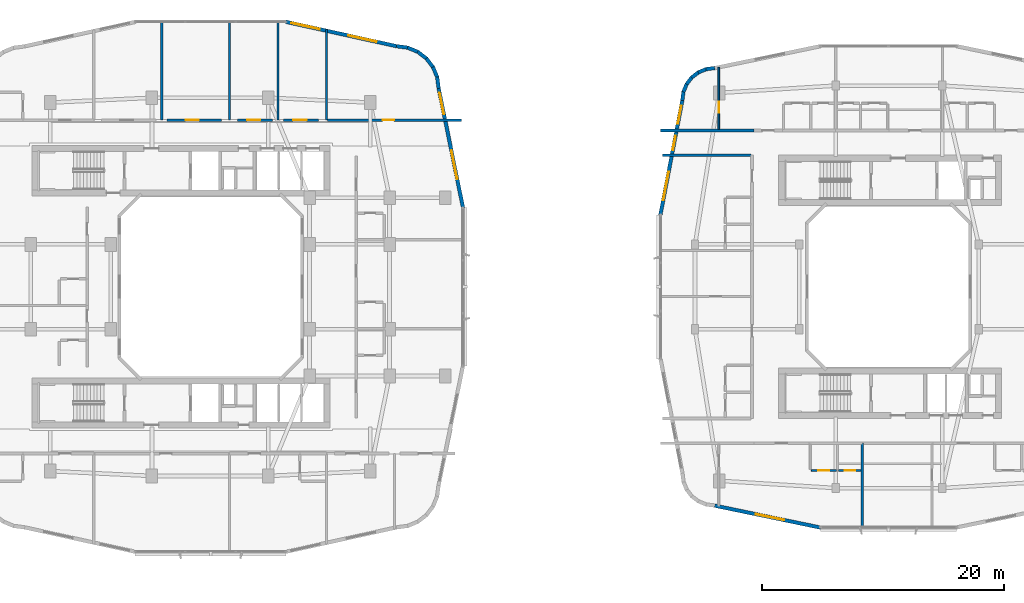
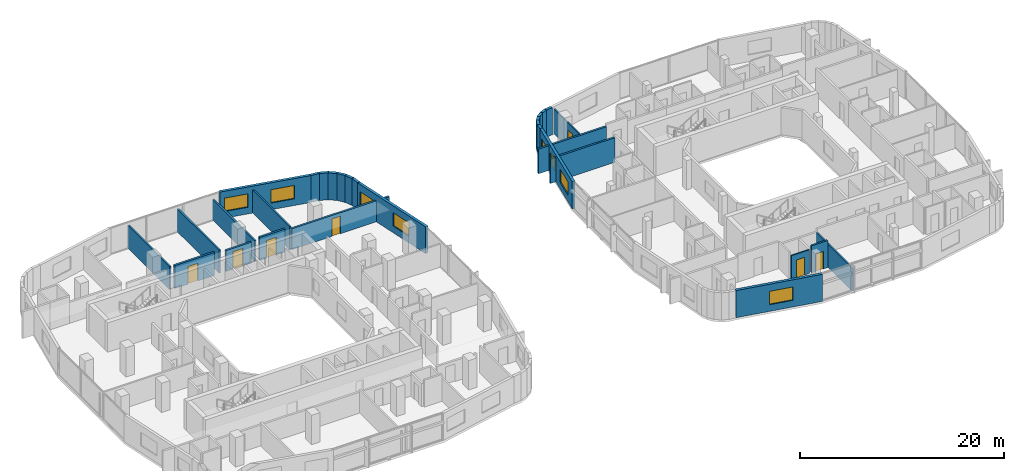
# One storey, part 17 of 27: 30 walls, 8 windows, 7 doors, 15 openings.
"""IFC4 building model written with IfcOpenShell, lengths in metres."""

from ifc_helpers import new_model, si_unit, derived_unit, direction, frame, frame_2d, origin, place, context, subcontext, project, spatial, rectangle, extrude, material, layer, layer_set, type_object, element, fill, save


model = new_model("IFC4")

# Units and contexts
model_context = context("Model", 3, precision=1e-05, world=origin(), true_north=direction((0.0, 1.0)))
body_context = subcontext(model_context, "Body", "Model", "MODEL_VIEW")
ifc_project = project(units=[si_unit("LENGTHUNIT", "METRE"), si_unit("AREAUNIT", "SQUARE_METRE"), si_unit("VOLUMEUNIT", "CUBIC_METRE"), si_unit("PLANEANGLEUNIT", "RADIAN"), si_unit("MASSUNIT", "GRAM", prefix="KILO"), derived_unit("THERMALTRANSMITTANCEUNIT", [(si_unit("POWERUNIT", "WATT"), 1), (si_unit("LENGTHUNIT", "METRE"), -2), (si_unit("THERMODYNAMICTEMPERATUREUNIT", "KELVIN"), -1)])], contexts=[model_context])

# Site, building, storey
site_placement = place(None, origin())
site = spatial("IfcSite", under=ifc_project, at=site_placement, CompositionType="ELEMENT")
building_placement = place(site_placement, origin())
building = spatial("IfcBuilding", under=site, at=building_placement, Name="Kivonza Crest Hotel", CompositionType="ELEMENT")
storey_placement = place(building_placement, frame((0.0, 0.0, 76.5)))
storey = spatial("IfcBuildingStorey", under=building, at=storey_placement, Name="L20", CompositionType="ELEMENT", Elevation=76.5)

# Walls
ifc_material_1 = material(Name="High-density acoustic masonry inter-tenancy wall", Category="masonry")
ifc_layer_1 = layer(ifc_material_1, 0.179931640625)
ifc_layer_set_1 = layer_set([ifc_layer_1], Name="High-density acoustic masonry inter-tenancy wall")
wall_type_1 = type_object("IfcWallType", Name="WL-ACOU-180", PredefinedType="SOLIDWALL", material=ifc_layer_set_1)
for number, where, z_axis, x_axis, name in (
    (1, (17.0, 38.75, 0.0), (0.0, 0.0, 1.0), (0.0, 1.0, 0.0), "L20 interior partition WA-L20-T1N-SPDIV2"),
    (2, (22.60009765625, 38.75, 0.0), (0.0, 0.0, 1.0), (0.0, 1.0, 0.0), "L20 interior partition WA-L20-T1N-DIV2"),
):
    element("IfcWall", number, at=place(storey_placement, frame(where, z_axis=z_axis, x_axis=x_axis)), inside=storey, type_object=wall_type_1, Name=name, PredefinedType="SOLIDWALL", context=body_context, shape_type="SweptSolid", body=[
        extrude(rectangle(XDim=8.18994140625, YDim=0.179931640625, at=frame_2d((4.094970703125, 0.0))), origin(), (0.0, 0.0, 1.0), 2.7451171875),
    ])
wall_1_placement = place(storey_placement, frame((26.60009765625, 38.75, 0.0), z_axis=(0.0, 0.0, 1.0), x_axis=(0.0, 1.0, 0.0)))
element("IfcWall", 3, at=wall_1_placement, inside=storey, type_object=wall_type_1, Name="L20 interior partition WA-L20-T1N-SPDIV", PredefinedType="SOLIDWALL", context=body_context, shape_type="SweptSolid", body=[
    extrude(rectangle(XDim=8.18994140625, YDim=0.179931640625, at=frame_2d((4.094970703125, 0.0))), origin(), (0.0, 0.0, 1.0), 2.4951171875),
])
wall_2_placement = place(storey_placement, frame((30.60009765625, 38.75, 0.0), z_axis=(0.0, 0.0, 1.0), x_axis=(0.0, 1.0, 0.0)))
element("IfcWall", 4, at=wall_2_placement, inside=storey, type_object=wall_type_1, Name="L20 interior partition WA-L20-T1N-DIV3", PredefinedType="SOLIDWALL", context=body_context, shape_type="SweptSolid", body=[
    extrude(rectangle(XDim=7.467041015625, YDim=0.179931640625, at=frame_2d((3.7333984375, 0.0))), origin(), (0.0, 0.0, 1.0), 2.7451171875),
])
wall_3_placement = place(storey_placement, frame((74.800048828125, 5.06005859375, 0.0), z_axis=(0.0, 0.0, 1.0), x_axis=(0.0, 1.0, 0.0)))
element("IfcWall", 5, at=wall_3_placement, inside=storey, type_object=wall_type_1, Name="L20 interior partition WA-L20-T2S-DIV1", PredefinedType="SOLIDWALL", context=body_context, shape_type="SweptSolid", body=[
    extrude(rectangle(XDim=7.0400390625, YDim=0.179931640625, at=frame_2d((3.52001953125, 0.0))), origin(), (0.0, 0.0, 1.0), 2.77490234375),
])

# Wall, opening, door
ifc_material_2 = material(Name="Autoclaved aerated concrete blockwork", Category="masonry")
ifc_layer_2 = layer(ifc_material_2, 0.219970703125)
ifc_layer_set_2 = layer_set([ifc_layer_2], Name="Autoclaved aerated concrete blockwork")
wall_type_2 = type_object("IfcWallType", Name="WL-ACOU-220", PredefinedType="SOLIDWALL", material=ifc_layer_set_2)
wall_4_placement = place(storey_placement, frame((17.449951171875, 38.75, 0.0), z_axis=(0.0, 0.0, 1.0), x_axis=(1.0, 0.0, 0.0)))
wall_4 = element("IfcWall", 6, at=wall_4_placement, inside=storey, type_object=wall_type_2, Name="L20 interior partition WA-L20-Z1-NB2B-S", PredefinedType="SOLIDWALL", context=body_context, shape_type="SweptSolid", body=[
    extrude(rectangle(XDim=4.5, YDim=0.219970703125, at=frame_2d((2.25, 0.0))), origin(), (0.0, 0.0, 1.0), 2.7451171875),
])
opening_1_placement = place(wall_4_placement, frame((1.52001953125, 0.0, 0.0)))
opening_1 = element("IfcOpeningElement", 7, at=opening_1_placement, cuts=wall_4, Name="Opening DF-60M", PredefinedType="OPENING", context=body_context, shape_type="SweptSolid", body=[
    extrude(rectangle(XDim=1.10009765625, YDim=2.10009765625, at=frame_2d((0.550048828125, 1.050048828125))), frame((0.0, 0.1201171875, 0.0), z_axis=(0.0, -1.0, 0.0), x_axis=(1.0, 0.0, 0.0)), (0.0, 0.0, 1.0), 0.239990234375),
])
ifc_material_3 = material(Name="Hardwood timber oak", Category="wood")
door_type_1 = type_object("IfcDoorType", Name="DR-FD60-1100", OperationType="NOTDEFINED", PredefinedType="DOOR", material=ifc_material_3)
door_1_placement = place(opening_1_placement, origin())
door_1 = element("IfcDoor", 8, at=door_1_placement, inside=storey, type_object=door_type_1, Name="L20 Zone 1 North Delegation Office door", OperationType="SINGLE_SWING_LEFT", OverallHeight=2.10009765625, OverallWidth=1.10009765625, PredefinedType="DOOR", context=body_context, shape_type="SweptSolid", body=[
    extrude(rectangle(XDim=1.10009765625, YDim=2.10009765625, at=frame_2d((0.550048828125, 1.050048828125))), frame((0.0, 0.02490234375, 0.0), z_axis=(0.0, -1.0, 0.0), x_axis=(1.0, 0.0, 0.0)), (0.0, 0.0, 1.0), 0.050048828125),
])
fill(opening_1, door_1)

wall_5_placement = place(storey_placement, frame((23.25, 38.75, 0.0), z_axis=(0.0, 0.0, 1.0), x_axis=(1.0, 0.0, 0.0)))
wall_5 = element("IfcWall", 9, at=wall_5_placement, inside=storey, type_object=wall_type_2, Name="L20 interior partition WA-L20-Z1-NBRD1-S", PredefinedType="SOLIDWALL", context=body_context, shape_type="SweptSolid", body=[
    extrude(rectangle(XDim=2.89990234375, YDim=0.219970703125, at=frame_2d((1.449951171875, 0.0))), origin(), (0.0, 0.0, 1.0), 2.4951171875),
])
opening_2_placement = place(wall_5_placement, frame((0.800048828125, 0.0, 0.0)))
opening_2 = element("IfcOpeningElement", 10, at=opening_2_placement, cuts=wall_5, Name="Opening DF-60M", PredefinedType="OPENING", context=body_context, shape_type="SweptSolid", body=[
    extrude(rectangle(XDim=1.10009765625, YDim=2.10009765625, at=frame_2d((0.550048828125, 1.050048828125))), frame((0.0, 0.1201171875, 0.0), z_axis=(0.0, -1.0, 0.0), x_axis=(1.0, 0.0, 0.0)), (0.0, 0.0, 1.0), 0.239990234375),
])
door_2_placement = place(opening_2_placement, origin())
door_2 = element("IfcDoor", 11, at=door_2_placement, inside=storey, type_object=door_type_1, Name="L20 Zone 1 North Executive Office door", OperationType="SINGLE_SWING_RIGHT", OverallHeight=2.10009765625, OverallWidth=1.10009765625, PredefinedType="DOOR", context=body_context, shape_type="SweptSolid", body=[
    extrude(rectangle(XDim=1.10009765625, YDim=2.10009765625, at=frame_2d((0.550048828125, 1.050048828125))), frame((0.0, 0.02490234375, 0.0), z_axis=(0.0, -1.0, 0.0), x_axis=(1.0, 0.0, 0.0)), (0.0, 0.0, 1.0), 0.050048828125),
])
fill(opening_2, door_2)

wall_6_placement = place(storey_placement, frame((27.050048828125, 38.75, 0.0), z_axis=(0.0, 0.0, 1.0), x_axis=(1.0, 0.0, 0.0)))
wall_6 = element("IfcWall", 12, at=wall_6_placement, inside=storey, type_object=wall_type_2, Name="L20 interior partition WA-L20-Z1-NBRD2-S", PredefinedType="SOLIDWALL", context=body_context, shape_type="SweptSolid", body=[
    extrude(rectangle(XDim=2.89990234375, YDim=0.219970703125, at=frame_2d((1.449951171875, 0.0))), origin(), (0.0, 0.0, 1.0), 2.7451171875),
])
opening_3_placement = place(wall_6_placement, frame((0.800048828125, 0.0, 0.0)))
opening_3 = element("IfcOpeningElement", 13, at=opening_3_placement, cuts=wall_6, Name="Opening DF-60M", PredefinedType="OPENING", context=body_context, shape_type="SweptSolid", body=[
    extrude(rectangle(XDim=1.10009765625, YDim=2.10009765625, at=frame_2d((0.550048828125, 1.050048828125))), frame((0.0, 0.1201171875, 0.0), z_axis=(0.0, -1.0, 0.0), x_axis=(1.0, 0.0, 0.0)), (0.0, 0.0, 1.0), 0.239990234375),
])
door_3_placement = place(opening_3_placement, origin())
door_3 = element("IfcDoor", 14, at=door_3_placement, inside=storey, type_object=door_type_1, Name="L20 Zone 1 North Delegation Office door", OperationType="SINGLE_SWING_LEFT", OverallHeight=2.10009765625, OverallWidth=1.10009765625, PredefinedType="DOOR", context=body_context, shape_type="SweptSolid", body=[
    extrude(rectangle(XDim=1.10009765625, YDim=2.10009765625, at=frame_2d((0.550048828125, 1.050048828125))), frame((0.0, 0.02490234375, 0.0), z_axis=(0.0, -1.0, 0.0), x_axis=(1.0, 0.0, 0.0)), (0.0, 0.0, 1.0), 0.050048828125),
])
fill(opening_3, door_3)

wall_7_placement = place(storey_placement, frame((30.699951171875, 38.75, 0.0), z_axis=(0.0, 0.0, 1.0), x_axis=(1.0, 0.0, 0.0)))
wall_7 = element("IfcWall", 15, at=wall_7_placement, inside=storey, type_object=wall_type_2, Name="L20 interior partition WA-L20-N-AMEN-S", PredefinedType="SOLIDWALL", context=body_context, shape_type="SweptSolid", body=[
    extrude(rectangle(XDim=11.0400390625, YDim=0.219970703125, at=frame_2d((5.52001953125, 0.0))), origin(), (0.0, 0.0, 1.0), 2.4951171875),
])
opening_4_placement = place(wall_7_placement, frame((4.531005859375, 0.0, 0.0)))
opening_4 = element("IfcOpeningElement", 16, at=opening_4_placement, cuts=wall_7, Name="Opening DF-60S", PredefinedType="OPENING", context=body_context, shape_type="SweptSolid", body=[
    extrude(rectangle(XDim=0.949951171875, YDim=2.10009765625, at=frame_2d((0.47509765625, 1.050048828125))), frame((0.0, 0.1201171875, 0.0), z_axis=(0.0, -1.0, 0.0), x_axis=(1.0, 0.0, 0.0)), (0.0, 0.0, 1.0), 0.239990234375),
])
door_type_2 = type_object("IfcDoorType", Name="DR-FD60-950", OperationType="NOTDEFINED", PredefinedType="DOOR", material=ifc_material_3)
door_4_placement = place(opening_4_placement, origin())
door_4 = element("IfcDoor", 17, at=door_4_placement, inside=storey, type_object=door_type_2, Name="L20 Guest Business Office door", OperationType="SINGLE_SWING_LEFT", OverallHeight=2.10009765625, OverallWidth=0.949951171875, PredefinedType="DOOR", context=body_context, shape_type="SweptSolid", body=[
    extrude(rectangle(XDim=0.949951171875, YDim=2.10009765625, at=frame_2d((0.47509765625, 1.050048828125))), frame((0.0, 0.02490234375, 0.0), z_axis=(0.0, -1.0, 0.0), x_axis=(1.0, 0.0, 0.0)), (0.0, 0.0, 1.0), 0.050048828125),
])
fill(opening_4, door_4)

# Walls
wall_8_placement = place(storey_placement, frame((58.159912109375, 37.89990234375, 0.0), z_axis=(0.0, 0.0, 1.0), x_axis=(1.0, 0.0, 0.0)))
element("IfcWall", 18, at=wall_8_placement, inside=storey, type_object=wall_type_2, Name="L20 interior partition WA-L20-A01-LCORR", PredefinedType="SOLIDWALL", context=body_context, shape_type="SweptSolid", body=[
    extrude(rectangle(XDim=7.690185546875, YDim=0.219970703125, at=frame_2d((3.84521484375, 0.0))), origin(), (0.0, 0.0, 1.0), 2.945068359375),
])
wall_9_placement = place(storey_placement, frame((58.320068359375, 35.860107421875, 0.0), z_axis=(0.0, 0.0, 1.0), x_axis=(1.0, 0.0, 0.0)))
element("IfcWall", 19, at=wall_9_placement, inside=storey, type_object=wall_type_2, Name="L20 interior partition WA-L20-T2W-ENDN", PredefinedType="SOLIDWALL", context=body_context, shape_type="SweptSolid", body=[
    extrude(rectangle(XDim=7.280029296875, YDim=0.219970703125, at=frame_2d((3.64013671875, 0.0))), origin(), (0.0, 0.0, 1.0), 2.945068359375),
])

# Wall, openings, windows
ifc_material_4 = material(Name="Precast concrete C40/50", Category="concrete")
ifc_layer_3 = layer(ifc_material_4, 0.300048828125)
ifc_layer_set_3 = layer_set([ifc_layer_3], Name="Precast concrete C40/50")
wall_type_3 = type_object("IfcWallType", Name="WL-EXT-300", PredefinedType="STANDARD", material=ifc_layer_set_3)
wall_10_placement = place(storey_placement, frame((41.864013671875, 31.51611328125, 0.0), z_axis=(0.0, 0.0, 1.0), x_axis=(-0.199990901713, 0.979797754249, 0.0)))
wall_10 = element("IfcWall", 20, at=wall_10_placement, inside=storey, type_object=wall_type_3, Name="L20 T1 exterior insulated wall 18", PredefinedType="STANDARD", context=body_context, shape_type="SweptSolid", body=[
    extrude(rectangle(XDim=10.065185546875, YDim=0.300048828125, at=frame_2d((5.03271484375, 0.0))), origin(), (0.0, 0.0, 1.0), 3.219970703125),
])
opening_5_placement = place(wall_10_placement, frame((2.428955078125, 0.0, 0.800048828125)))
opening_5 = element("IfcOpeningElement", 21, at=opening_5_placement, cuts=wall_10, Name="Opening WN-05", PredefinedType="OPENING", context=body_context, shape_type="SweptSolid", body=[
    extrude(rectangle(XDim=2.39990234375, YDim=1.60009765625, at=frame_2d((1.199951171875, 0.800048828125))), frame((0.0, 0.16015625, 0.0), z_axis=(0.0, -1.0, 0.0), x_axis=(1.0, 0.0, 0.0)), (0.0, 0.0, 1.0), 0.320068359375),
])
opening_6_placement = place(wall_10_placement, frame((7.886962890625, 0.0, 0.85009765625)))
opening_6 = element("IfcOpeningElement", 22, at=opening_6_placement, cuts=wall_10, Name="Opening WN-03", PredefinedType="OPENING", context=body_context, shape_type="SweptSolid", body=[
    extrude(rectangle(XDim=1.800048828125, YDim=1.5, at=frame_2d((0.89990234375, 0.75))), frame((0.0, 0.16015625, 0.0), z_axis=(0.0, -1.0, 0.0), x_axis=(1.0, 0.0, 0.0)), (0.0, 0.0, 1.0), 0.320068359375),
])
ifc_material_5 = material(Name="Thermally broken bronze aluminium and low-E double glazing", Category="aluminium")
window_type_1 = type_object("IfcWindowType", Name="WN-180x150", PartitioningType="DOUBLE_PANEL_VERTICAL", PredefinedType="WINDOW", material=ifc_material_5)
window_1_placement = place(opening_6_placement, origin())
window_1 = element("IfcWindow", 23, at=window_1_placement, inside=storey, type_object=window_type_1, Name="L20 T1 facade window 18 bay 2", OverallHeight=1.5, OverallWidth=1.800048828125, PartitioningType="SINGLE_PANEL", PredefinedType="WINDOW", context=body_context, shape_type="SweptSolid", body=[
    extrude(rectangle(XDim=1.800048828125, YDim=1.5, at=frame_2d((0.89990234375, 0.75))), frame((0.0, 0.030029296875, 0.0), z_axis=(0.0, -1.0, 0.0), x_axis=(1.0, 0.0, 0.0)), (0.0, 0.0, 1.0), 0.06005859375),
])
fill(opening_6, window_1)
window_type_2 = type_object("IfcWindowType", Name="WN-240x160", PartitioningType="TRIPLE_PANEL_VERTICAL", PredefinedType="WINDOW", material=ifc_material_5)
window_2_placement = place(opening_5_placement, origin())
window_2 = element("IfcWindow", 24, at=window_2_placement, inside=storey, type_object=window_type_2, Name="L20 T1 facade window 18 bay 1", OverallHeight=1.60009765625, OverallWidth=2.39990234375, PartitioningType="SINGLE_PANEL", PredefinedType="WINDOW", context=body_context, shape_type="SweptSolid", body=[
    extrude(rectangle(XDim=2.39990234375, YDim=1.60009765625, at=frame_2d((1.199951171875, 0.800048828125))), frame((0.0, 0.030029296875, 0.0), z_axis=(0.0, -1.0, 0.0), x_axis=(1.0, 0.0, 0.0)), (0.0, 0.0, 1.0), 0.06005859375),
])
fill(opening_5, window_2)

# Walls
wall_11_placement = place(storey_placement, frame((39.85205078125, 41.3720703125, 0.0), z_axis=(0.0, 0.0, 1.0), x_axis=(-0.131174864804, 0.991359246108, 0.0)))
element("IfcWall", 25, at=wall_11_placement, inside=storey, type_object=wall_type_3, Name="L20 T1 exterior insulated wall 19", PredefinedType="STANDARD", context=body_context, shape_type="SweptSolid", body=[
    extrude(rectangle(XDim=0.93798828125, YDim=0.300048828125, at=frame_2d((0.468994140625, 0.0))), origin(), (0.0, 0.0, 1.0), 3.219970703125),
])
wall_12_placement = place(storey_placement, frame((39.748046875, 42.251953125, 0.0), z_axis=(0.0, 0.0, 1.0), x_axis=(-0.382344263057, 0.924019948111, 0.0)))
element("IfcWall", 26, at=wall_12_placement, inside=storey, type_object=wall_type_3, Name="L20 T1 exterior insulated wall 20", PredefinedType="STANDARD", context=body_context, shape_type="SweptSolid", body=[
    extrude(rectangle(XDim=0.95458984375, YDim=0.300048828125, at=frame_2d((0.477294921875, 0.0))), origin(), (0.0, 0.0, 1.0), 3.219970703125),
])
wall_13_placement = place(storey_placement, frame((39.4140625, 43.089111328125, 0.0), z_axis=(0.0, 0.0, 1.0), x_axis=(-0.608474481025, 0.793573440799, 0.0)))
element("IfcWall", 27, at=wall_13_placement, inside=storey, type_object=wall_type_3, Name="L20 T1 exterior insulated wall 21", PredefinedType="STANDARD", context=body_context, shape_type="SweptSolid", body=[
    extrude(rectangle(XDim=0.954833984375, YDim=0.300048828125, at=frame_2d((0.4775390625, 0.0))), origin(), (0.0, 0.0, 1.0), 3.219970703125),
])
wall_14_placement = place(storey_placement, frame((38.875, 43.81201171875, 0.0), z_axis=(0.0, 0.0, 1.0), x_axis=(-0.793668068435, 0.608351047625, 0.0)))
element("IfcWall", 28, at=wall_14_placement, inside=storey, type_object=wall_type_3, Name="L20 T1 exterior insulated wall 22", PredefinedType="STANDARD", context=body_context, shape_type="SweptSolid", body=[
    extrude(rectangle(XDim=0.955078125, YDim=0.300048828125, at=frame_2d((0.4775390625, 0.0))), origin(), (0.0, 0.0, 1.0), 3.219970703125),
])
wall_15_placement = place(storey_placement, frame((38.166015625, 44.368896484375, 0.0), z_axis=(0.0, 0.0, 1.0), x_axis=(-0.924019948111, 0.382344263057, 0.0)))
element("IfcWall", 29, at=wall_15_placement, inside=storey, type_object=wall_type_3, Name="L20 T1 exterior insulated wall 23", PredefinedType="STANDARD", context=body_context, shape_type="SweptSolid", body=[
    extrude(rectangle(XDim=0.95458984375, YDim=0.300048828125, at=frame_2d((0.477294921875, 0.0))), origin(), (0.0, 0.0, 1.0), 3.219970703125),
])
wall_16_placement = place(storey_placement, frame((37.3369140625, 44.72509765625, 0.0), z_axis=(0.0, 0.0, 1.0), x_axis=(-0.991454295543, 0.130454512571, 0.0)))
element("IfcWall", 30, at=wall_16_placement, inside=storey, type_object=wall_type_3, Name="L20 T1 exterior insulated wall 24", PredefinedType="STANDARD", context=body_context, shape_type="SweptSolid", body=[
    extrude(rectangle(XDim=0.97314453125, YDim=0.300048828125, at=frame_2d((0.486572265625, 0.0))), origin(), (0.0, 0.0, 1.0), 3.219970703125),
])

# Wall, openings, windows
wall_17_placement = place(storey_placement, frame((36.3759765625, 44.85205078125, 0.0), z_axis=(0.0, 0.0, 1.0), x_axis=(-0.97654500432, 0.215313386808, 0.0)))
wall_17 = element("IfcWall", 31, at=wall_17_placement, inside=storey, type_object=wall_type_3, Name="L20 T1 exterior insulated wall 25", PredefinedType="STANDARD", context=body_context, shape_type="SweptSolid", body=[
    extrude(rectangle(XDim=9.353515625, YDim=0.300048828125, at=frame_2d((4.6767578125, 0.0))), origin(), (0.0, 0.0, 1.0), 3.219970703125),
])
opening_7_placement = place(wall_17_placement, frame((1.69189453125, 0.0, 0.800048828125)))
opening_7 = element("IfcOpeningElement", 32, at=opening_7_placement, cuts=wall_17, Name="Opening WN-05", PredefinedType="OPENING", context=body_context, shape_type="SweptSolid", body=[
    extrude(rectangle(XDim=2.39990234375, YDim=1.60009765625, at=frame_2d((1.199951171875, 0.800048828125))), frame((0.0, 0.16015625, 0.0), z_axis=(0.0, -1.0, 0.0), x_axis=(1.0, 0.0, 0.0)), (0.0, 0.0, 1.0), 0.320068359375),
])
opening_8_placement = place(wall_17_placement, frame((6.47412109375, 0.0, 0.800048828125)))
opening_8 = element("IfcOpeningElement", 33, at=opening_8_placement, cuts=wall_17, Name="Opening WN-05", PredefinedType="OPENING", context=body_context, shape_type="SweptSolid", body=[
    extrude(rectangle(XDim=2.39990234375, YDim=1.60009765625, at=frame_2d((1.199951171875, 0.800048828125))), frame((0.0, 0.16015625, 0.0), z_axis=(0.0, -1.0, 0.0), x_axis=(1.0, 0.0, 0.0)), (0.0, 0.0, 1.0), 0.320068359375),
])
window_3_placement = place(opening_7_placement, origin())
window_3 = element("IfcWindow", 34, at=window_3_placement, inside=storey, type_object=window_type_2, Name="L20 T1 facade window 25 bay 1", OverallHeight=1.60009765625, OverallWidth=2.39990234375, PartitioningType="SINGLE_PANEL", PredefinedType="WINDOW", context=body_context, shape_type="SweptSolid", body=[
    extrude(rectangle(XDim=2.39990234375, YDim=1.60009765625, at=frame_2d((1.199951171875, 0.800048828125))), frame((0.0, 0.030029296875, 0.0), z_axis=(0.0, -1.0, 0.0), x_axis=(1.0, 0.0, 0.0)), (0.0, 0.0, 1.0), 0.06005859375),
])
fill(opening_7, window_3)
window_4_placement = place(opening_8_placement, origin())
window_4 = element("IfcWindow", 35, at=window_4_placement, inside=storey, type_object=window_type_2, Name="L20 T1 facade window 25 bay 2", OverallHeight=1.60009765625, OverallWidth=2.39990234375, PartitioningType="SINGLE_PANEL", PredefinedType="WINDOW", context=body_context, shape_type="SweptSolid", body=[
    extrude(rectangle(XDim=2.39990234375, YDim=1.60009765625, at=frame_2d((1.199951171875, 0.800048828125))), frame((0.0, 0.030029296875, 0.0), z_axis=(0.0, -1.0, 0.0), x_axis=(1.0, 0.0, 0.0)), (0.0, 0.0, 1.0), 0.06005859375),
])
fill(opening_8, window_4)

# Wall, opening, window
wall_18_placement = place(storey_placement, frame((62.6220703125, 6.948974609375, 0.0), z_axis=(0.0, 0.0, 1.0), x_axis=(0.979127260729, -0.203248142175, 0.0)))
wall_18 = element("IfcWall", 36, at=wall_18_placement, inside=storey, type_object=wall_type_3, Name="L20 T2 exterior insulated wall 7", PredefinedType="STANDARD", context=body_context, shape_type="SweptSolid", body=[
    extrude(rectangle(XDim=8.920166015625, YDim=0.300048828125, at=frame_2d((4.4599609375, 0.0))), origin(), (0.0, 0.0, 1.0), 3.25),
])
opening_9_placement = place(wall_18_placement, frame((3.471923828125, 0.0, 0.800048828125)))
opening_9 = element("IfcOpeningElement", 37, at=opening_9_placement, cuts=wall_18, Name="Opening WN-05", PredefinedType="OPENING", context=body_context, shape_type="SweptSolid", body=[
    extrude(rectangle(XDim=2.39990234375, YDim=1.60009765625, at=frame_2d((1.199951171875, 0.800048828125))), frame((0.0, 0.16015625, 0.0), z_axis=(0.0, -1.0, 0.0), x_axis=(1.0, 0.0, 0.0)), (0.0, 0.0, 1.0), 0.320068359375),
])
window_5_placement = place(opening_9_placement, origin())
window_5 = element("IfcWindow", 38, at=window_5_placement, inside=storey, type_object=window_type_2, Name="L20 T2 facade window 7", OverallHeight=1.60009765625, OverallWidth=2.39990234375, PartitioningType="SINGLE_PANEL", PredefinedType="WINDOW", context=body_context, shape_type="SweptSolid", body=[
    extrude(rectangle(XDim=2.39990234375, YDim=1.60009765625, at=frame_2d((1.199951171875, 0.800048828125))), frame((0.0, 0.030029296875, 0.0), z_axis=(0.0, -1.0, 0.0), x_axis=(1.0, 0.0, 0.0)), (0.0, 0.0, 1.0), 0.06005859375),
])
fill(opening_9, window_5)

# Walls
wall_19_placement = place(storey_placement, frame((62.626953125, 43.052001953125, 0.0), z_axis=(0.0, 0.0, 1.0), x_axis=(-0.991480488834, -0.130255288807, 0.0)))
element("IfcWall", 39, at=wall_19_placement, inside=storey, type_object=wall_type_3, Name="L20 T2 exterior insulated wall 28", PredefinedType="STANDARD", context=body_context, shape_type="SweptSolid", body=[
    extrude(rectangle(XDim=0.72900390625, YDim=0.300048828125, at=frame_2d((0.364501953125, 0.0))), origin(), (0.0, 0.0, 1.0), 3.25),
])
for number, where, z_axis, x_axis, name in (
    (40, (61.955078125, 42.97607421875, 0.0), (0.0, 0.0, 1.0), (-0.923521684703, -0.383546213491, 0.0), "L20 T2 exterior insulated wall 29"),
    (41, (61.31103515625, 42.720947265625, 0.0), (0.0, 0.0, 1.0), (-0.79363269798, -0.608397189915, 0.0), "L20 T2 exterior insulated wall 30"),
    (42, (60.75390625, 42.30908203125, 0.0), (0.0, 0.0, 1.0), (-0.608397189915, -0.79363269798, 0.0), "L20 T2 exterior insulated wall 31"),
    (43, (60.323974609375, 41.76611328125, 0.0), (0.0, 0.0, 1.0), (-0.383151213466, -0.923685632463, 0.0), "L20 T2 exterior insulated wall 32"),
):
    element("IfcWall", number, at=place(storey_placement, frame(where, z_axis=z_axis, x_axis=x_axis)), inside=storey, type_object=wall_type_3, Name=name, PredefinedType="STANDARD", context=body_context, shape_type="SweptSolid", body=[
        extrude(rectangle(XDim=0.74609375, YDim=0.300048828125, at=frame_2d((0.373046875, 0.0))), origin(), (0.0, 0.0, 1.0), 3.25),
    ])
wall_20_placement = place(storey_placement, frame((60.047119140625, 41.131103515625, 0.0), z_axis=(0.0, 0.0, 1.0), x_axis=(-0.129653178221, -0.991559404866, 0.0)))
element("IfcWall", 44, at=wall_20_placement, inside=storey, type_object=wall_type_3, Name="L20 T2 exterior insulated wall 33", PredefinedType="STANDARD", context=body_context, shape_type="SweptSolid", body=[
    extrude(rectangle(XDim=0.764404296875, YDim=0.300048828125, at=frame_2d((0.38232421875, 0.0))), origin(), (0.0, 0.0, 1.0), 3.25),
])

# Wall, openings, windows
wall_21_placement = place(storey_placement, frame((59.948974609375, 40.3798828125, 0.0), z_axis=(0.0, 0.0, 1.0), x_axis=(-0.188087874316, -0.982152203854, 0.0)))
wall_21 = element("IfcWall", 45, at=wall_21_placement, inside=storey, type_object=wall_type_3, Name="L20 T2 exterior insulated wall 34", PredefinedType="STANDARD", context=body_context, shape_type="SweptSolid", body=[
    extrude(rectangle(XDim=9.6337890625, YDim=0.300048828125, at=frame_2d((4.81689453125, 0.0))), origin(), (0.0, 0.0, 1.0), 3.25),
])
opening_10_placement = place(wall_21_placement, frame((0.451904296875, 0.0, 0.85009765625)))
opening_10 = element("IfcOpeningElement", 46, at=opening_10_placement, cuts=wall_21, Name="Opening WN-02", PredefinedType="OPENING", context=body_context, shape_type="SweptSolid", body=[
    extrude(rectangle(XDim=1.5, YDim=1.5, at=frame_2d((0.75, 0.75))), frame((0.0, 0.16015625, 0.0), z_axis=(0.0, -1.0, 0.0), x_axis=(1.0, 0.0, 0.0)), (0.0, 0.0, 1.0), 0.320068359375),
])
opening_11_placement = place(wall_21_placement, frame((2.964111328125, 0.0, 0.85009765625)))
opening_11 = element("IfcOpeningElement", 47, at=opening_11_placement, cuts=wall_21, Name="Opening WN-01", PredefinedType="OPENING", context=body_context, shape_type="SweptSolid", body=[
    extrude(rectangle(XDim=1.199951171875, YDim=1.5, at=frame_2d((0.60009765625, 0.75))), frame((0.0, 0.16015625, 0.0), z_axis=(0.0, -1.0, 0.0), x_axis=(1.0, 0.0, 0.0)), (0.0, 0.0, 1.0), 0.320068359375),
])
opening_12_placement = place(wall_21_placement, frame((5.97900390625, 0.0, 0.800048828125)))
opening_12 = element("IfcOpeningElement", 48, at=opening_12_placement, cuts=wall_21, Name="Opening WN-05", PredefinedType="OPENING", context=body_context, shape_type="SweptSolid", body=[
    extrude(rectangle(XDim=2.39990234375, YDim=1.60009765625, at=frame_2d((1.199951171875, 0.800048828125))), frame((0.0, 0.16015625, 0.0), z_axis=(0.0, -1.0, 0.0), x_axis=(1.0, 0.0, 0.0)), (0.0, 0.0, 1.0), 0.320068359375),
])
window_type_3 = type_object("IfcWindowType", Name="WN-120x150", PartitioningType="SINGLE_PANEL", PredefinedType="WINDOW", material=ifc_material_5)
window_6_placement = place(opening_11_placement, origin())
window_6 = element("IfcWindow", 49, at=window_6_placement, inside=storey, type_object=window_type_3, Name="L20 T2 facade window 34 bay 2", OverallHeight=1.5, OverallWidth=1.199951171875, PartitioningType="SINGLE_PANEL", PredefinedType="WINDOW", context=body_context, shape_type="SweptSolid", body=[
    extrude(rectangle(XDim=1.199951171875, YDim=1.5, at=frame_2d((0.60009765625, 0.75))), frame((0.0, 0.030029296875, 0.0), z_axis=(0.0, -1.0, 0.0), x_axis=(1.0, 0.0, 0.0)), (0.0, 0.0, 1.0), 0.06005859375),
])
fill(opening_11, window_6)
window_type_4 = type_object("IfcWindowType", Name="WN-150x150", PartitioningType="DOUBLE_PANEL_VERTICAL", PredefinedType="WINDOW", material=ifc_material_5)
window_7_placement = place(opening_10_placement, origin())
window_7 = element("IfcWindow", 50, at=window_7_placement, inside=storey, type_object=window_type_4, Name="L20 T2 facade window 34 bay 1", OverallHeight=1.5, OverallWidth=1.5, PartitioningType="SINGLE_PANEL", PredefinedType="WINDOW", context=body_context, shape_type="SweptSolid", body=[
    extrude(rectangle(XDim=1.5, YDim=1.5, at=frame_2d((0.75, 0.75))), frame((0.0, 0.030029296875, 0.0), z_axis=(0.0, -1.0, 0.0), x_axis=(1.0, 0.0, 0.0)), (0.0, 0.0, 1.0), 0.06005859375),
])
fill(opening_10, window_7)
window_8_placement = place(opening_12_placement, origin())
window_8 = element("IfcWindow", 51, at=window_8_placement, inside=storey, type_object=window_type_2, Name="L20 T2 facade window 34 bay 3", OverallHeight=1.60009765625, OverallWidth=2.39990234375, PartitioningType="SINGLE_PANEL", PredefinedType="WINDOW", context=body_context, shape_type="SweptSolid", body=[
    extrude(rectangle(XDim=2.39990234375, YDim=1.60009765625, at=frame_2d((1.199951171875, 0.800048828125))), frame((0.0, 0.030029296875, 0.0), z_axis=(0.0, -1.0, 0.0), x_axis=(1.0, 0.0, 0.0)), (0.0, 0.0, 1.0), 0.06005859375),
])
fill(opening_12, window_8)

# Wall, opening, door
ifc_material_6 = material(Name="Twin-stud acoustic gypsum board partition", Category="gypsum")
ifc_layer_4 = layer(ifc_material_6, 0.14990234375)
ifc_layer_set_4 = layer_set([ifc_layer_4], Name="Twin-stud acoustic gypsum board partition")
wall_type_4 = type_object("IfcWallType", Name="WL-PART-150", PredefinedType="PARTITIONING", material=ifc_layer_set_4)
wall_22_placement = place(storey_placement, frame((62.9599609375, 38.0, 0.0), z_axis=(0.0, 0.0, 1.0), x_axis=(0.0, 1.0, 0.0)))
wall_22 = element("IfcWall", 52, at=wall_22_placement, inside=storey, type_object=wall_type_4, Name="L20 interior partition WP-L20-A01-BDW1", PredefinedType="PARTITIONING", context=body_context, shape_type="SweptSolid", body=[
    extrude(rectangle(XDim=5.113037109375, YDim=0.14990234375, at=frame_2d((2.556640625, 0.0))), origin(), (0.0, 0.0, 1.0), 2.945068359375),
])
opening_13_placement = place(wall_22_placement, frame((1.3798828125, 0.0, 0.0)))
opening_13 = element("IfcOpeningElement", 53, at=opening_13_placement, cuts=wall_22, Name="Opening DI-90", PredefinedType="OPENING", context=body_context, shape_type="SweptSolid", body=[
    extrude(rectangle(XDim=0.89990234375, YDim=2.10009765625, at=frame_2d((0.449951171875, 1.050048828125))), frame((0.0, 0.0849609375, 0.0), z_axis=(0.0, -1.0, 0.0), x_axis=(1.0, 0.0, 0.0)), (0.0, 0.0, 1.0), 0.169921875),
])
door_type_3 = type_object("IfcDoorType", Name="DR-INT-900", OperationType="NOTDEFINED", PredefinedType="DOOR", material=ifc_material_3)
door_5_placement = place(opening_13_placement, origin())
door_5 = element("IfcDoor", 54, at=door_5_placement, inside=storey, type_object=door_type_3, Name="L20 A01 bedroom 1 door", OperationType="SINGLE_SWING_RIGHT", OverallHeight=2.10009765625, OverallWidth=0.89990234375, PredefinedType="DOOR", context=body_context, shape_type="SweptSolid", body=[
    extrude(rectangle(XDim=0.89990234375, YDim=2.10009765625, at=frame_2d((0.449951171875, 1.050048828125))), frame((0.0, 0.02490234375, 0.0), z_axis=(0.0, -1.0, 0.0), x_axis=(1.0, 0.0, 0.0)), (0.0, 0.0, 1.0), 0.050048828125),
])
fill(opening_13, door_5)

wall_23_placement = place(storey_placement, frame((70.60009765625, 9.85009765625, 0.0), z_axis=(0.0, 0.0, 1.0), x_axis=(1.0, 0.0, 0.0)))
wall_23 = element("IfcWall", 55, at=wall_23_placement, inside=storey, type_object=wall_type_4, Name="L20 interior partition WP-L20-A04-KSVC", PredefinedType="PARTITIONING", context=body_context, shape_type="SweptSolid", body=[
    extrude(rectangle(XDim=2.0498046875, YDim=0.14990234375, at=frame_2d((1.02490234375, 0.0))), origin(), (0.0, 0.0, 1.0), 2.824951171875),
])
opening_14_placement = place(wall_23_placement, frame((0.574951171875, 0.0, 0.0)))
opening_14 = element("IfcOpeningElement", 56, at=opening_14_placement, cuts=wall_23, Name="Opening DI-90", PredefinedType="OPENING", context=body_context, shape_type="SweptSolid", body=[
    extrude(rectangle(XDim=0.89990234375, YDim=2.10009765625, at=frame_2d((0.449951171875, 1.050048828125))), frame((0.0, 0.0849609375, 0.0), z_axis=(0.0, -1.0, 0.0), x_axis=(1.0, 0.0, 0.0)), (0.0, 0.0, 1.0), 0.169921875),
])
door_6_placement = place(opening_14_placement, frame((0.89990234375, 0.0, 0.0), z_axis=(0.0, 0.0, 1.0), x_axis=(-1.0, 0.0, 0.0)))
door_6 = element("IfcDoor", 57, at=door_6_placement, inside=storey, type_object=door_type_3, Name="L20 A04 apartment kitchen door", OperationType="SINGLE_SWING_RIGHT", OverallHeight=2.10009765625, OverallWidth=0.89990234375, PredefinedType="DOOR", context=body_context, shape_type="SweptSolid", body=[
    extrude(rectangle(XDim=0.89990234375, YDim=2.10009765625, at=frame_2d((0.449951171875, 1.050048828125))), frame((0.0, 0.02490234375, 0.0), z_axis=(0.0, -1.0, 0.0), x_axis=(1.0, 0.0, 0.0)), (0.0, 0.0, 1.0), 0.050048828125),
])
fill(opening_14, door_6)

ifc_material_7 = material(Name="Moisture-resistant plumbing chase partition wall", Category="gypsum")
ifc_layer_5 = layer(ifc_material_7, 0.199951171875)
ifc_layer_set_5 = layer_set([ifc_layer_5], Name="Moisture-resistant plumbing chase partition wall")
wall_type_5 = type_object("IfcWallType", Name="WL-PLUMB-200", PredefinedType="PLUMBINGWALL", material=ifc_layer_set_5)
wall_24_placement = place(storey_placement, frame((72.85009765625, 9.85009765625, 0.0), z_axis=(0.0, 0.0, 1.0), x_axis=(1.0, 0.0, 0.0)))
wall_24 = element("IfcWall", 58, at=wall_24_placement, inside=storey, type_object=wall_type_5, Name="L20 interior partition WW-L20-A04-BSVC", PredefinedType="PLUMBINGWALL", context=body_context, shape_type="SweptSolid", body=[
    extrude(rectangle(XDim=1.849853515625, YDim=0.199951171875, at=frame_2d((0.9248046875, 0.0))), origin(), (0.0, 0.0, 1.0), 3.219970703125),
])
opening_15_placement = place(wall_24_placement, frame((0.5, 0.0, 0.0)))
opening_15 = element("IfcOpeningElement", 59, at=opening_15_placement, cuts=wall_24, Name="Opening DI-85", PredefinedType="OPENING", context=body_context, shape_type="SweptSolid", body=[
    extrude(rectangle(XDim=0.85009765625, YDim=2.10009765625, at=frame_2d((0.425048828125, 1.050048828125))), frame((0.0, 0.10986328125, 0.0), z_axis=(0.0, -1.0, 0.0), x_axis=(1.0, 0.0, 0.0)), (0.0, 0.0, 1.0), 0.219970703125),
])
door_type_4 = type_object("IfcDoorType", Name="DR-INT-850", OperationType="NOTDEFINED", PredefinedType="DOOR", material=ifc_material_3)
door_7_placement = place(opening_15_placement, frame((0.85009765625, 0.0, 0.0), z_axis=(0.0, 0.0, 1.0), x_axis=(-1.0, 0.0, 0.0)))
door_7 = element("IfcDoor", 60, at=door_7_placement, inside=storey, type_object=door_type_4, Name="L20 A04 apartment bathroom door", OperationType="SINGLE_SWING_LEFT", OverallHeight=2.10009765625, OverallWidth=0.85009765625, PredefinedType="DOOR", context=body_context, shape_type="SweptSolid", body=[
    extrude(rectangle(XDim=0.85009765625, YDim=2.10009765625, at=frame_2d((0.425048828125, 1.050048828125))), frame((0.0, 0.02490234375, 0.0), z_axis=(0.0, -1.0, 0.0), x_axis=(1.0, 0.0, 0.0)), (0.0, 0.0, 1.0), 0.050048828125),
])
fill(opening_15, door_7)

save(model, "model.ifc")
